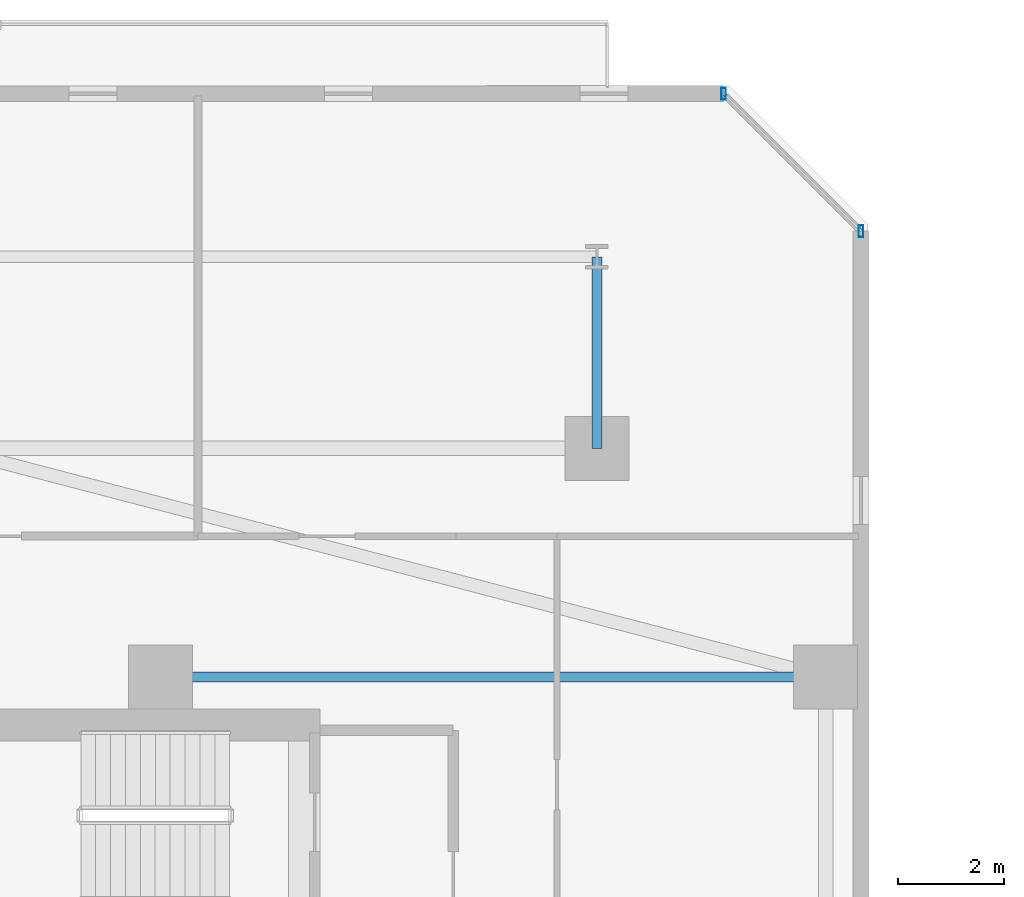
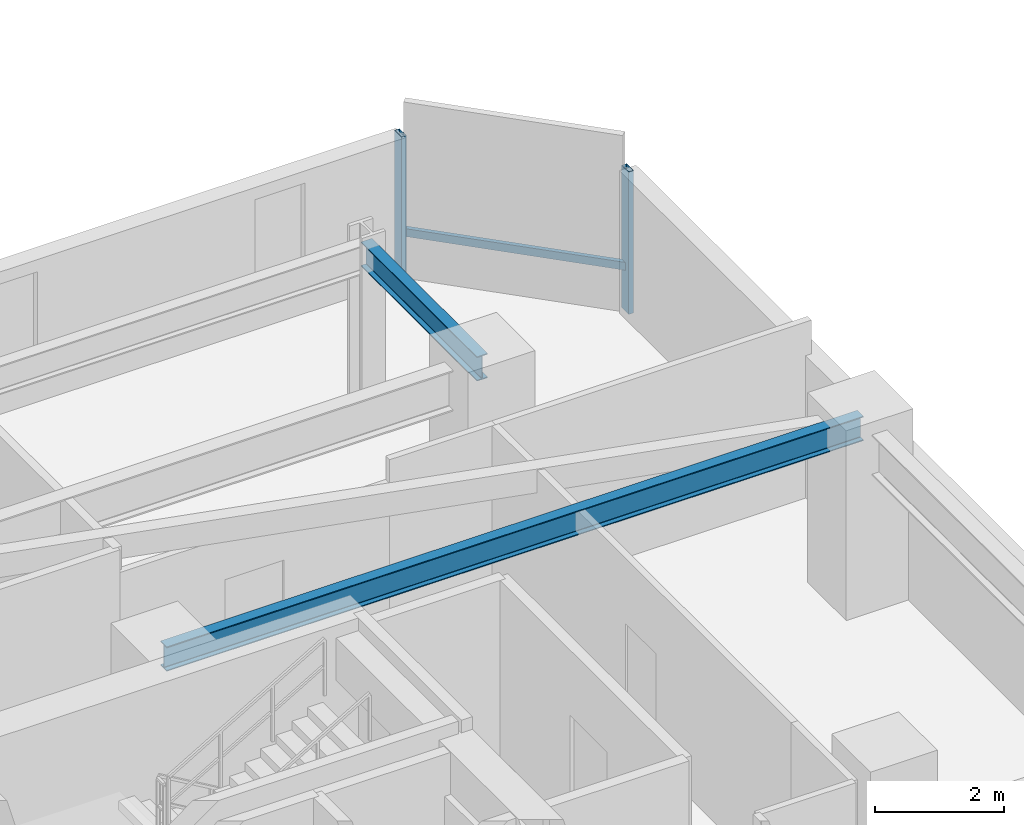
# One storey, part 10 of 33: 3 members, 2 beams, 1 element without a shape of its own.
"""IFC4 building model written with IfcOpenShell, lengths in metres."""

from ifc_helpers import new_model, si_unit, direction, frame, origin, origin_2d, place, context, subcontext, project, spatial, hollow_rectangle, i_section, extrude, material, material_profile, profile_set, type_object, element, aggregate, save


model = new_model("IFC4")

# Units and contexts
model_context = context("Model", 3, precision=1e-05, world=origin(), true_north=direction((0.0, 1.0)))
body_context = subcontext(model_context, "Body", "Model", "MODEL_VIEW")
ifc_project = project(units=[si_unit("LENGTHUNIT", "METRE"), si_unit("AREAUNIT", "SQUARE_METRE"), si_unit("VOLUMEUNIT", "CUBIC_METRE"), si_unit("PLANEANGLEUNIT", "RADIAN"), si_unit("MASSUNIT", "GRAM", prefix="KILO")], contexts=[model_context])

# Site, building, storey
site_placement = place(None, origin())
site = spatial("IfcSite", under=ifc_project, at=site_placement, CompositionType="ELEMENT")
building_placement = place(site_placement, origin())
building = spatial("IfcBuilding", under=site, at=building_placement, Name="Thornwick Lancets Civic Towers", CompositionType="ELEMENT")
storey_placement = place(building_placement, frame((0.0, 0.0, 108.89990234375)))
storey = spatial("IfcBuildingStorey", under=building, at=storey_placement, Name="L28", CompositionType="ELEMENT", Elevation=108.89990234375)

# Beams
ifc_material_1 = material(Name="Steel S355JR", Category="steel")
ifc_material_profile_1 = material_profile(ifc_material_1, i_section(OverallWidth=0.19189453125, OverallDepth=0.46337890625, WebThickness=0.010498046875, FlangeThickness=0.017578125, FilletRadius=0.01025390625, at=origin_2d()), Name="UKB 457x191x89")
ifc_profile_set_1 = profile_set([ifc_material_profile_1], Name="Steel S355JR")
beam_type = type_object("IfcBeamType", Name="BM_JOIST_457_89", PredefinedType="JOIST", material=ifc_profile_set_1)
beam_1_placement = place(storey_placement, frame((30.300048828125, 40.0, 3.12841796875), z_axis=(1.0, 0.0, 0.0), x_axis=(0.0, 1.0, 0.0)))
element("IfcBeam", 1, at=beam_1_placement, inside=storey, type_object=beam_type, Name="BM-RADIN-L28-A06", PredefinedType="JOIST", context=body_context, shape_type="SweptSolid", body=[
    extrude(i_section(OverallWidth=0.19189453125, OverallDepth=0.46337890625, WebThickness=0.010498046875, FlangeThickness=0.017578125, FilletRadius=0.01025390625, at=origin_2d()), origin(), (0.0, 0.0, 1.0), 12.5),
])
beam_2_placement = place(storey_placement, frame((38.5, 44.300048828125, 3.12841796875), z_axis=(0.0, 1.0, 0.0), x_axis=(-1.0, 0.0, 0.0)))
element("IfcBeam", 2, at=beam_2_placement, inside=storey, type_object=beam_type, Name="BM-RAD-L28-A09", PredefinedType="JOIST", context=body_context, shape_type="SweptSolid", body=[
    extrude(i_section(OverallWidth=0.19189453125, OverallDepth=0.46337890625, WebThickness=0.010498046875, FlangeThickness=0.017578125, FilletRadius=0.01025390625, at=origin_2d()), origin(), (0.0, 0.0, 1.0), 3.599853515625),
])

# Curtain wall, members
ifc_material_2 = material(Name="Low-zone chamfered-corner unitised glass curtain wall", Category="glass")
curtain_wall_type = type_object("IfcCurtainWallType", Name="CW_SYS_03", PredefinedType="NOTDEFINED", material=ifc_material_2)
curtain_wall_placement = place(storey_placement, origin())
curtain_wall = element("IfcCurtainWall", 3, at=curtain_wall_placement, inside=storey, type_object=curtain_wall_type, Name="L28 Curtain Wall CW-L28-A-E3", PredefinedType="NOTDEFINED")
ifc_material_3 = material(Name="Thermally broken bronze aluminium S355", Category="steel")
ifc_material_profile_2 = material_profile(ifc_material_3, hollow_rectangle(XDim=0.090087890625, YDim=0.219970703125, WallThickness=0.00634765625, at=origin_2d()), Name="RHS 220x90x6.3")
ifc_profile_set_2 = profile_set([ifc_material_profile_2], Name="Thermally broken bronze aluminium S355")
member_type_1 = type_object("IfcMemberType", Name="CW_MUL_220", PredefinedType="MULLION", material=ifc_profile_set_2)
member_1_placement = place(storey_placement, frame((43.464599609375, 48.38134765625, 0.0), z_axis=(0.0, 0.0, 1.0), x_axis=(1.0, 0.0, 0.0)))
member_1 = element("IfcMember", 4, at=member_1_placement, type_object=member_type_1, Name="CW-L28-A-E3 Mullion 0", PredefinedType="MULLION", context=body_context, shape_type="SweptSolid", body=[
    extrude(hollow_rectangle(XDim=0.090087890625, YDim=0.219970703125, WallThickness=0.00634765625, at=origin_2d()), origin(), (0.0, 0.0, 1.0), 2.7001953125),
])
member_2_placement = place(storey_placement, frame((40.88134765625, 50.964599609375, 0.0), z_axis=(0.0, 0.0, 1.0), x_axis=(1.0, 0.0, 0.0)))
member_2 = element("IfcMember", 5, at=member_2_placement, type_object=member_type_1, Name="CW-L28-A-E3 Mullion 1", PredefinedType="MULLION", context=body_context, shape_type="SweptSolid", body=[
    extrude(hollow_rectangle(XDim=0.090087890625, YDim=0.219970703125, WallThickness=0.00634765625, at=origin_2d()), origin(), (0.0, 0.0, 1.0), 2.7001953125),
])
ifc_material_profile_3 = material_profile(ifc_material_3, hollow_rectangle(XDim=0.074951171875, YDim=0.14990234375, WallThickness=0.0048828125, at=origin_2d()), Name="RHS 150x75x5")
ifc_profile_set_3 = profile_set([ifc_material_profile_3], Name="Thermally broken bronze aluminium S355")
member_type_2 = type_object("IfcMemberType", Name="CW_TRN_150", PredefinedType="USERDEFINED", material=ifc_profile_set_3)
member_3_placement = place(storey_placement, frame((43.45068359375, 48.3955078125, 0.85009765625), z_axis=(-0.707106781187, 0.707106781187, 0.0), x_axis=(-0.707106781187, -0.707106781187, 0.0)))
member_3 = element("IfcMember", 6, at=member_3_placement, type_object=member_type_2, Name="CW-L28-A-E3 Transom 0", ObjectType="TRANSOM", PredefinedType="USERDEFINED", context=body_context, shape_type="SweptSolid", body=[
    extrude(hollow_rectangle(XDim=0.074951171875, YDim=0.14990234375, WallThickness=0.0048828125, at=origin_2d()), origin(), (0.0, 0.0, 1.0), 3.613525390625),
])
aggregate(curtain_wall, [member_1, member_2, member_3])

save(model, "model.ifc")
